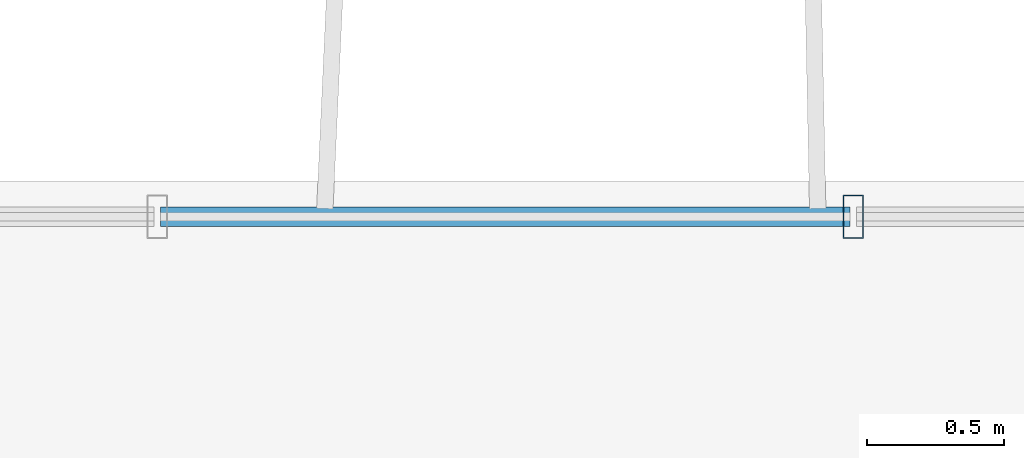
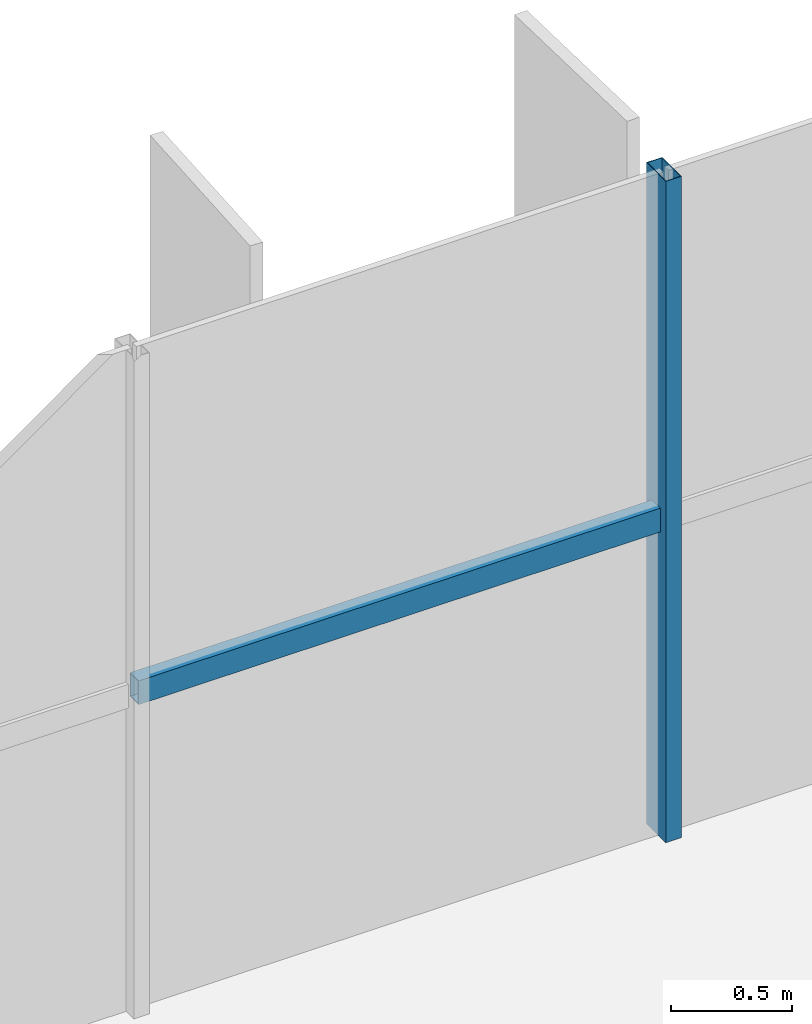
# One storey, part 8 of 24: 2 members, 1 element without a shape of its own.
"""IFC4 building model written with IfcOpenShell, lengths in metres."""

from ifc_helpers import new_model, si_unit, direction, frame, origin, origin_2d, place, context, subcontext, project, spatial, hollow_rectangle, extrude, source, transform, mapped, material, material_profile, profile_set, type_object, element, aggregate, save


model = new_model("IFC4")

# Units and contexts
model_context = context("Model", 3, precision=1e-05, world=origin(), true_north=direction((0.0, 1.0)))
body_context = subcontext(model_context, "Body", "Model", "MODEL_VIEW")
ifc_project = project(units=[si_unit("LENGTHUNIT", "METRE"), si_unit("AREAUNIT", "SQUARE_METRE"), si_unit("VOLUMEUNIT", "CUBIC_METRE"), si_unit("PLANEANGLEUNIT", "RADIAN"), si_unit("MASSUNIT", "GRAM", prefix="KILO")], contexts=[model_context])

# Site, building, storey
site_placement = place(None, origin())
site = spatial("IfcSite", under=ifc_project, at=site_placement, CompositionType="ELEMENT")
building_placement = place(site_placement, origin())
building = spatial("IfcBuilding", under=site, at=building_placement, Name="Trelvane Seafront Commons", CompositionType="ELEMENT")
storey_placement = place(building_placement, frame((0.0, 0.0, 27.10009765625)))
storey = spatial("IfcBuildingStorey", under=building, at=storey_placement, Name="L06", CompositionType="ELEMENT", Elevation=27.10009765625)

# Curtain wall, members
ifc_material = material(Name="Anodised pale-silver aluminium", Category="aluminium")
curtain_wall_type = type_object("IfcCurtainWallType", Name="ARCH-CW2-LOWTOWER", PredefinedType="NOTDEFINED", material=ifc_material)
curtain_wall_placement = place(storey_placement, origin())
curtain_wall = element("IfcCurtainWall", 1, at=curtain_wall_placement, inside=storey, type_object=curtain_wall_type, Name="CW-L06-0030", PredefinedType="NOTDEFINED")
ifc_material_profile_1 = material_profile(ifc_material, hollow_rectangle(XDim=0.070068359375, YDim=0.1201171875, WallThickness=0.00390625, at=origin_2d()), Name="TRAN-70x120x4")
ifc_profile_set_1 = profile_set([ifc_material_profile_1], Name="Anodised pale-silver aluminium")
member_type_1 = type_object("IfcMemberType", Name="ARCH-CW-TRAN-120", PredefinedType="USERDEFINED", material=ifc_profile_set_1)
shared_shape_1 = source(origin(), body_context, "Body", "SweptSolid", [
    extrude(hollow_rectangle(XDim=0.070068359375, YDim=0.1201171875, WallThickness=0.00390625, at=origin_2d()), origin(), (0.0, 0.0, 1.0), 2.517333984375),
])
member_1_placement = place(storey_placement, frame((33.400146484375, 48.3701171875, 1.602783203125), z_axis=(1.0, 0.0, 0.0), x_axis=(0.0, 1.0, 0.0)))
member_1 = element("IfcMember", 2, at=member_1_placement, type_object=member_type_1, Name="CW-L06-0030-T07", ObjectType="TRANSOM", PredefinedType="USERDEFINED", context=body_context, shape_type="MappedRepresentation", body=[
    mapped(shared_shape_1, transform((0.0, 0.0, 0.0), x_axis=(1.0, 0.0, 0.0), y_axis=(0.0, 1.0, 0.0), z_axis=(0.0, 0.0, 1.0), scale=1.0)),
])
ifc_material_profile_2 = material_profile(ifc_material, hollow_rectangle(XDim=0.074951171875, YDim=0.159912109375, WallThickness=0.00390625, at=origin_2d()), Name="MULL-75x160x4")
ifc_profile_set_2 = profile_set([ifc_material_profile_2], Name="Anodised pale-silver aluminium")
member_type_2 = type_object("IfcMemberType", Name="ARCH-CW-MULL-160", PredefinedType="MULLION", material=ifc_profile_set_2)
shared_shape_2 = source(origin(), body_context, "Body", "SweptSolid", [
    extrude(hollow_rectangle(XDim=0.074951171875, YDim=0.159912109375, WallThickness=0.00390625, at=origin_2d()), origin(), (0.0, 0.0, 1.0), 3.33984375),
])
member_2_placement = place(storey_placement, frame((35.929443359375, 48.3701171875, 0.0), z_axis=(0.0, 0.0, 1.0), x_axis=(1.0, 0.0, 0.0)))
member_2 = element("IfcMember", 3, at=member_2_placement, type_object=member_type_2, Name="CW-L06-0030-M08", PredefinedType="MULLION", context=body_context, shape_type="MappedRepresentation", body=[
    mapped(shared_shape_2, transform((0.0, 0.0, 0.0), x_axis=(1.0, 0.0, 0.0), y_axis=(0.0, 1.0, 0.0), z_axis=(0.0, 0.0, 1.0), scale=1.0)),
])
aggregate(curtain_wall, [member_2, member_1])

save(model, "model.ifc")
